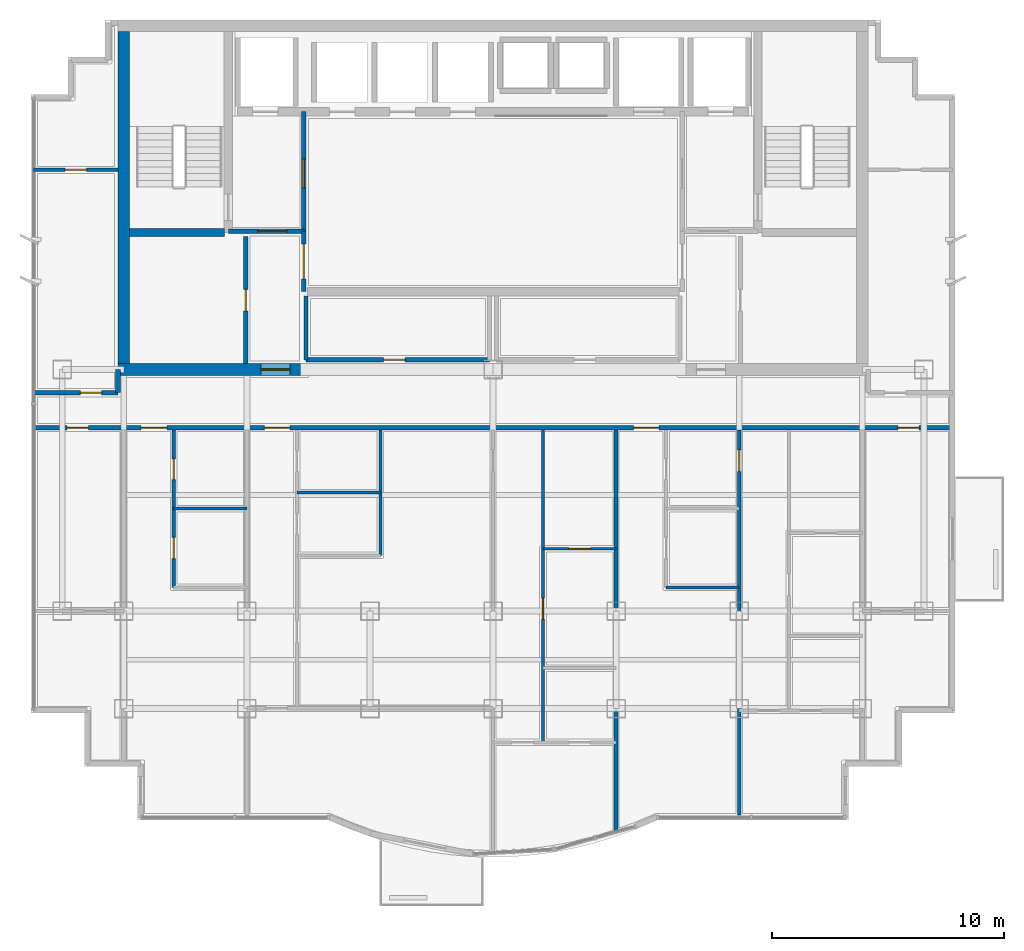
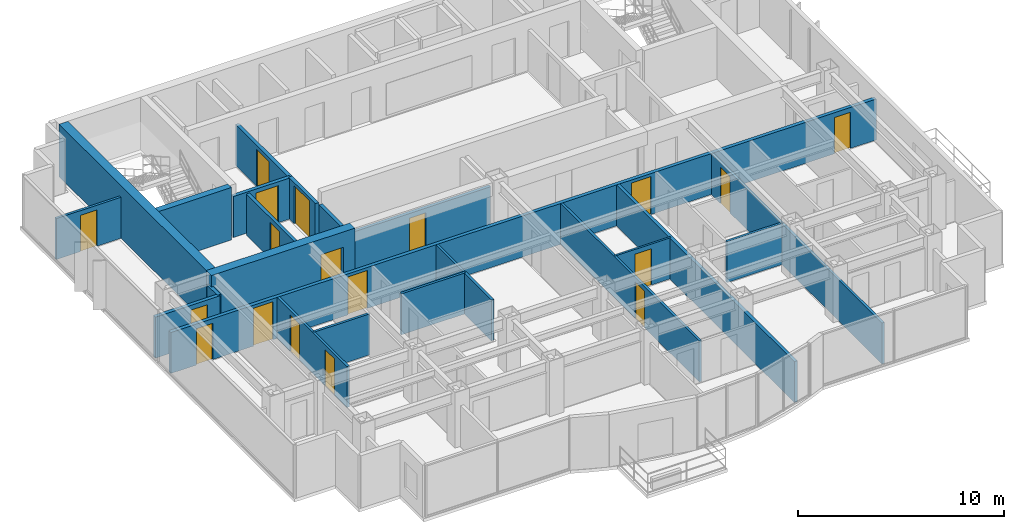
# One storey, part 7 of 11: 22 walls, 18 doors, 18 openings.
"""IFC4 building model written with IfcOpenShell, lengths in metres."""

from ifc_helpers import new_model, si_unit, direction, frame, frame_2d, origin, place, context, subcontext, project, spatial, rectangle, extrude, material, layer, layer_set, type_object, element, fill, save


model = new_model("IFC4")

# Units and contexts
model_context = context("Model", 3, precision=1e-05, world=origin(), true_north=direction((0.0, 1.0)))
body_context = subcontext(model_context, "Body", "Model", "MODEL_VIEW")
ifc_project = project(units=[si_unit("LENGTHUNIT", "METRE"), si_unit("AREAUNIT", "SQUARE_METRE"), si_unit("VOLUMEUNIT", "CUBIC_METRE"), si_unit("PLANEANGLEUNIT", "RADIAN"), si_unit("MASSUNIT", "GRAM", prefix="KILO")], contexts=[model_context])

# Site, building, storey
site_placement = place(None, origin())
site = spatial("IfcSite", under=ifc_project, at=site_placement, CompositionType="ELEMENT")
building_placement = place(site_placement, origin())
building = spatial("IfcBuilding", under=site, at=building_placement, Name="Qianlan Lanfeng Residences", CompositionType="ELEMENT")
storey_placement = place(building_placement, frame((0.0, 0.0, 206.60009765625)))
storey = spatial("IfcBuildingStorey", under=building, at=storey_placement, Name="L56", CompositionType="ELEMENT", Elevation=206.60009765625)

# Walls
ifc_material_1 = material(Name="Concrete C49", Category="concrete")
ifc_layer_1 = layer(ifc_material_1, 0.35009765625)
ifc_layer_set_1 = layer_set([ifc_layer_1], Name="Concrete C49")
wall_type_1 = type_object("IfcWallType", Name="CW-RC-350", PredefinedType="SHEAR", material=ifc_layer_set_1)
wall_1_placement = place(storey_placement, frame((10.85009765625, 31.10009765625, 0.0), z_axis=(0.0, 0.0, 1.0), x_axis=(1.0, 0.0, 0.0)))
element("IfcWall", 1, at=wall_1_placement, inside=storey, type_object=wall_type_1, Name="L56 Core Shear Wall ST1S", PredefinedType="SHEAR", context=body_context, shape_type="SweptSolid", body=[
    extrude(rectangle(XDim=4.074951171875, YDim=0.35009765625, at=frame_2d((2.03759765625, 0.0))), origin(), (0.0, 0.0, 1.0), 3.10986328125),
])
ifc_material_2 = material(Name="Concrete C70", Category="concrete")
ifc_layer_2 = layer(ifc_material_2, 0.5)
ifc_layer_set_2 = layer_set([ifc_layer_2], Name="Concrete C70")
wall_type_2 = type_object("IfcWallType", Name="CW-RC-500", PredefinedType="SHEAR", material=ifc_layer_set_2)
wall_2_placement = place(storey_placement, frame((10.60009765625, 25.449951171875, 0.0), z_axis=(0.0, 0.0, 1.0), x_axis=(0.0, 1.0, 0.0)))
element("IfcWall", 2, at=wall_2_placement, inside=storey, type_object=wall_type_2, Name="L56 Core Shear Wall W", PredefinedType="SHEAR", context=body_context, shape_type="SweptSolid", body=[
    extrude(rectangle(XDim=14.300048828125, YDim=0.5, at=frame_2d((7.14990234375, 0.0))), origin(), (0.0, 0.0, 1.0), 3.10986328125),
])

# Wall, opening, door
wall_3_placement = place(storey_placement, frame((10.35009765625, 25.199951171875, 0.0), z_axis=(0.0, 0.0, 1.0), x_axis=(1.0, 0.0, 0.0)))
wall_3 = element("IfcWall", 3, at=wall_3_placement, inside=storey, type_object=wall_type_2, Name="L56 Core Shear Wall SW", PredefinedType="SHEAR", context=body_context, shape_type="SweptSolid", body=[
    extrude(rectangle(XDim=8.0498046875, YDim=0.5, at=frame_2d((4.02490234375, 0.0))), origin(), (0.0, 0.0, 1.0), 3.10986328125),
])
opening_1_placement = place(wall_3_placement, frame((6.14990234375, 0.0, 0.0)))
opening_1 = element("IfcOpeningElement", 4, at=opening_1_placement, cuts=wall_3, Name="Opening L56-D01", PredefinedType="OPENING", context=body_context, shape_type="SweptSolid", body=[
    extrude(rectangle(XDim=1.25, YDim=2.199951171875, at=frame_2d((0.625, 1.10009765625))), frame((0.0, 0.260009765625, 0.0), z_axis=(0.0, -1.0, 0.0), x_axis=(1.0, 0.0, 0.0)), (0.0, 0.0, 1.0), 0.52001953125),
])
ifc_material_3 = material(Name="Painted Galvanised Steel Fire Door", Category="steel")
door_type_1 = type_object("IfcDoorType", Name="DT-FFL", OperationType="NOTDEFINED", PredefinedType="DOOR", material=ifc_material_3)
door_1_placement = place(opening_1_placement, origin())
door_1 = element("IfcDoor", 5, at=door_1_placement, inside=storey, type_object=door_type_1, Name="L56 West Core Lobby Smoke Door L56-D01 (DT-FFL)", OperationType="SINGLE_SWING_RIGHT", OverallHeight=2.199951171875, OverallWidth=1.25, PredefinedType="DOOR", context=body_context, shape_type="SweptSolid", body=[
    extrude(rectangle(XDim=1.25, YDim=2.199951171875, at=frame_2d((0.625, 1.10009765625))), frame((0.0, 0.02490234375, 0.0), z_axis=(0.0, -1.0, 0.0), x_axis=(1.0, 0.0, 0.0)), (0.0, 0.0, 1.0), 0.050048828125),
])
fill(opening_1, door_1)

ifc_material_4 = material(Name="Demountable Acoustic Framing Partition 110 mm")
ifc_layer_3 = layer(ifc_material_4, 0.110107421875)
ifc_layer_set_3 = layer_set([ifc_layer_3], Name="Demountable Acoustic Framing Partition 110 mm")
wall_type_3 = type_object("IfcWallType", Name="PW-110", PredefinedType="MOVABLE", material=ifc_layer_set_3)
wall_4_placement = place(storey_placement, frame((28.64990234375, 17.47412109375, 0.0), z_axis=(0.0, 0.0, 1.0), x_axis=(1.0, 0.0, 0.0)))
wall_4 = element("IfcWall", 6, at=wall_4_placement, inside=storey, type_object=wall_type_3, Name="L56 U02 Wardrobe Split", PredefinedType="MOVABLE", context=body_context, shape_type="SweptSolid", body=[
    extrude(rectangle(XDim=3.150146484375, YDim=0.110107421875, at=frame_2d((1.5751953125, 0.0))), origin(), (0.0, 0.0, 1.0), 2.429931640625),
])
opening_2_placement = place(wall_4_placement, frame((1.114990234375, 0.0, 0.0)))
opening_2 = element("IfcOpeningElement", 7, at=opening_2_placement, cuts=wall_4, Name="Opening L56-D27", PredefinedType="OPENING", context=body_context, shape_type="SweptSolid", body=[
    extrude(rectangle(XDim=0.919921875, YDim=2.14990234375, at=frame_2d((0.4599609375, 1.074951171875))), frame((0.0, 0.06494140625, 0.0), z_axis=(0.0, -1.0, 0.0), x_axis=(1.0, 0.0, 0.0)), (0.0, 0.0, 1.0), 0.130126953125),
])
ifc_material_5 = material(Name="Glazed Timber Kitchen/Study Door", Category="wood")
door_type_2 = type_object("IfcDoorType", Name="DT-INT", OperationType="NOTDEFINED", PredefinedType="DOOR", material=ifc_material_5)
door_2_placement = place(opening_2_placement, origin())
door_2 = element("IfcDoor", 8, at=door_2_placement, inside=storey, type_object=door_type_2, Name="L56 U02 Dressing Inner Door L56-D27 (DT-INT)", OperationType="SINGLE_SWING_RIGHT", OverallHeight=2.14990234375, OverallWidth=0.919921875, PredefinedType="DOOR", context=body_context, shape_type="SweptSolid", body=[
    extrude(rectangle(XDim=0.919921875, YDim=2.14990234375, at=frame_2d((0.4599609375, 1.074951171875))), frame((0.0, 0.02490234375, 0.0), z_axis=(0.0, -1.0, 0.0), x_axis=(1.0, 0.0, 0.0)), (0.0, 0.0, 1.0), 0.050048828125),
])
fill(opening_2, door_2)

# Wall, openings, doors
ifc_material_6 = material(Name="Moisture-Resistant Gypsum Partition 135 mm")
ifc_layer_4 = layer(ifc_material_6, 0.135009765625)
ifc_layer_set_4 = layer_set([ifc_layer_4], Name="Moisture-Resistant Gypsum Partition 135 mm")
wall_type_4 = type_object("IfcWallType", Name="PW-135", PredefinedType="PARTITIONING", material=ifc_layer_set_4)
wall_5_placement = place(storey_placement, frame((12.75, 15.820068359375, 0.0), z_axis=(0.0, 0.0, 1.0), x_axis=(0.0, 1.0, 0.0)))
wall_5 = element("IfcWall", 9, at=wall_5_placement, inside=storey, type_object=wall_type_4, Name="L56 U01 Wet Stack Spine", PredefinedType="PARTITIONING", context=body_context, shape_type="SweptSolid", body=[
    extrude(rectangle(XDim=6.780029296875, YDim=0.135009765625, at=frame_2d((3.39013671875, 0.0))), origin(), (0.0, 0.0, 1.0), 2.429931640625),
])
opening_3_placement = place(wall_5_placement, frame((1.235107421875, 0.0, 0.0)))
opening_3 = element("IfcOpeningElement", 10, at=opening_3_placement, cuts=wall_5, Name="Opening L56-D16", PredefinedType="OPENING", context=body_context, shape_type="SweptSolid", body=[
    extrude(rectangle(XDim=0.919921875, YDim=2.14990234375, at=frame_2d((0.4599609375, 1.074951171875))), frame((0.0, 0.07763671875, 0.0), z_axis=(0.0, -1.0, 0.0), x_axis=(1.0, 0.0, 0.0)), (0.0, 0.0, 1.0), 0.155029296875),
])
opening_4_placement = place(wall_5_placement, frame((4.635009765625, 0.0, 0.0)))
opening_4 = element("IfcOpeningElement", 11, at=opening_4_placement, cuts=wall_5, Name="Opening L56-D17", PredefinedType="OPENING", context=body_context, shape_type="SweptSolid", body=[
    extrude(rectangle(XDim=0.89990234375, YDim=2.14990234375, at=frame_2d((0.449951171875, 1.074951171875))), frame((0.0, 0.07763671875, 0.0), z_axis=(0.0, -1.0, 0.0), x_axis=(1.0, 0.0, 0.0)), (0.0, 0.0, 1.0), 0.155029296875),
])
door_3_placement = place(opening_3_placement, origin())
door_3 = element("IfcDoor", 12, at=door_3_placement, inside=storey, type_object=door_type_2, Name="L56 U01 Kitchen Door L56-D16 (DT-INT)", OperationType="SINGLE_SWING_LEFT", OverallHeight=2.14990234375, OverallWidth=0.919921875, PredefinedType="DOOR", context=body_context, shape_type="SweptSolid", body=[
    extrude(rectangle(XDim=0.919921875, YDim=2.14990234375, at=frame_2d((0.4599609375, 1.074951171875))), frame((0.0, 0.02490234375, 0.0), z_axis=(0.0, -1.0, 0.0), x_axis=(1.0, 0.0, 0.0)), (0.0, 0.0, 1.0), 0.050048828125),
])
fill(opening_3, door_3)
ifc_material_7 = material(Name="Moisture-Resistant Timber Leaf", Category="wood")
door_type_3 = type_object("IfcDoorType", Name="DT-WC", OperationType="NOTDEFINED", PredefinedType="DOOR", material=ifc_material_7)
door_4_placement = place(opening_4_placement, origin())
door_4 = element("IfcDoor", 13, at=door_4_placement, inside=storey, type_object=door_type_3, Name="L56 U01 Bathroom Door L56-D17 (DT-WC)", OperationType="SINGLE_SWING_RIGHT", OverallHeight=2.14990234375, OverallWidth=0.89990234375, PredefinedType="DOOR", context=body_context, shape_type="SweptSolid", body=[
    extrude(rectangle(XDim=0.89990234375, YDim=2.14990234375, at=frame_2d((0.449951171875, 1.074951171875))), frame((0.0, 0.02490234375, 0.0), z_axis=(0.0, -1.0, 0.0), x_axis=(1.0, 0.0, 0.0)), (0.0, 0.0, 1.0), 0.050048828125),
])
fill(opening_4, door_4)

# Walls
wall_6_placement = place(storey_placement, frame((12.75, 19.2099609375, 0.0), z_axis=(0.0, 0.0, 1.0), x_axis=(1.0, 0.0, 0.0)))
element("IfcWall", 14, at=wall_6_placement, inside=storey, type_object=wall_type_4, Name="L56 U01 Bathroom South Wall", PredefinedType="PARTITIONING", context=body_context, shape_type="SweptSolid", body=[
    extrude(rectangle(XDim=3.14990234375, YDim=0.135009765625, at=frame_2d((1.574951171875, 0.0))), origin(), (0.0, 0.0, 1.0), 2.429931640625),
])
wall_7_placement = place(storey_placement, frame((21.64990234375, 17.199951171875, 0.0), z_axis=(0.0, 0.0, 1.0), x_axis=(0.0, 1.0, 0.0)))
element("IfcWall", 15, at=wall_7_placement, inside=storey, type_object=wall_type_4, Name="L56 U02 Dining East Wall", PredefinedType="PARTITIONING", context=body_context, shape_type="SweptSolid", body=[
    extrude(rectangle(XDim=5.400146484375, YDim=0.135009765625, at=frame_2d((2.7001953125, 0.0))), origin(), (0.0, 0.0, 1.0), 2.429931640625),
])
wall_8_placement = place(storey_placement, frame((18.050048828125, 19.89990234375, 0.0), z_axis=(0.0, 0.0, 1.0), x_axis=(1.0, 0.0, 0.0)))
element("IfcWall", 16, at=wall_8_placement, inside=storey, type_object=wall_type_4, Name="L56 U02 Bathroom South Wall", PredefinedType="PARTITIONING", context=body_context, shape_type="SweptSolid", body=[
    extrude(rectangle(XDim=3.599853515625, YDim=0.135009765625, at=frame_2d((1.7998046875, 0.0))), origin(), (0.0, 0.0, 1.0), 2.429931640625),
])

# Wall, opening, door
wall_9_placement = place(storey_placement, frame((28.64990234375, 9.14794921875, 0.0), z_axis=(0.0, 0.0, 1.0), x_axis=(0.0, 1.0, 0.0)))
wall_9 = element("IfcWall", 17, at=wall_9_placement, inside=storey, type_object=wall_type_4, Name="L56 U02 Master Passage Wall", PredefinedType="PARTITIONING", context=body_context, shape_type="SweptSolid", body=[
    extrude(rectangle(XDim=13.4521484375, YDim=0.135009765625, at=frame_2d((6.72607421875, 0.0))), origin(), (0.0, 0.0, 1.0), 2.429931640625),
])
opening_5_placement = place(wall_9_placement, frame((5.302978515625, 0.0, 0.0)))
opening_5 = element("IfcOpeningElement", 18, at=opening_5_placement, cuts=wall_9, Name="Opening L56-D26", PredefinedType="OPENING", context=body_context, shape_type="SweptSolid", body=[
    extrude(rectangle(XDim=0.919921875, YDim=2.14990234375, at=frame_2d((0.4599609375, 1.074951171875))), frame((0.0, 0.07763671875, 0.0), z_axis=(0.0, -1.0, 0.0), x_axis=(1.0, 0.0, 0.0)), (0.0, 0.0, 1.0), 0.155029296875),
])
door_5_placement = place(opening_5_placement, origin())
door_5 = element("IfcDoor", 19, at=door_5_placement, inside=storey, type_object=door_type_2, Name="L56 U02 Wardrobe Door L56-D26 (DT-INT)", OperationType="SINGLE_SWING_LEFT", OverallHeight=2.14990234375, OverallWidth=0.919921875, PredefinedType="DOOR", context=body_context, shape_type="SweptSolid", body=[
    extrude(rectangle(XDim=0.919921875, YDim=2.14990234375, at=frame_2d((0.4599609375, 1.074951171875))), frame((0.0, 0.02490234375, 0.0), z_axis=(0.0, -1.0, 0.0), x_axis=(1.0, 0.0, 0.0)), (0.0, 0.0, 1.0), 0.050048828125),
])
fill(opening_5, door_5)

wall_10_placement = place(storey_placement, frame((37.10009765625, 6.02001953125, 0.0), z_axis=(0.0, 0.0, 1.0), x_axis=(0.0, 1.0, 0.0)))
wall_10 = element("IfcWall", 20, at=wall_10_placement, inside=storey, type_object=wall_type_4, Name="L56 U03 Bay Spine Wall 1", PredefinedType="PARTITIONING", context=body_context, shape_type="SweptSolid", body=[
    extrude(rectangle(XDim=16.580078125, YDim=0.135009765625, at=frame_2d((8.2900390625, 0.0))), origin(), (0.0, 0.0, 1.0), 2.429931640625),
])
opening_6_placement = place(wall_10_placement, frame((14.794921875, 0.0, 0.0)))
opening_6 = element("IfcOpeningElement", 21, at=opening_6_placement, cuts=wall_10, Name="Opening L56-D29", PredefinedType="OPENING", context=body_context, shape_type="SweptSolid", body=[
    extrude(rectangle(XDim=0.919921875, YDim=2.14990234375, at=frame_2d((0.4599609375, 1.074951171875))), frame((0.0, 0.07763671875, 0.0), z_axis=(0.0, -1.0, 0.0), x_axis=(1.0, 0.0, 0.0)), (0.0, 0.0, 1.0), 0.155029296875),
])
door_6_placement = place(opening_6_placement, origin())
door_6 = element("IfcDoor", 22, at=door_6_placement, inside=storey, type_object=door_type_2, Name="L56 U03 Internal Hall Door L56-D29 (DT-INT)", OperationType="SINGLE_SWING_RIGHT", OverallHeight=2.14990234375, OverallWidth=0.919921875, PredefinedType="DOOR", context=body_context, shape_type="SweptSolid", body=[
    extrude(rectangle(XDim=0.919921875, YDim=2.14990234375, at=frame_2d((0.4599609375, 1.074951171875))), frame((0.0, 0.02490234375, 0.0), z_axis=(0.0, -1.0, 0.0), x_axis=(1.0, 0.0, 0.0)), (0.0, 0.0, 1.0), 0.050048828125),
])
fill(opening_6, door_6)

# Wall
wall_11_placement = place(storey_placement, frame((33.949951171875, 15.820068359375, 0.0), z_axis=(0.0, 0.0, 1.0), x_axis=(1.0, 0.0, 0.0)))
element("IfcWall", 23, at=wall_11_placement, inside=storey, type_object=wall_type_4, Name="L56 U03 Kitchen South Wall", PredefinedType="PARTITIONING", context=body_context, shape_type="SweptSolid", body=[
    extrude(rectangle(XDim=3.150146484375, YDim=0.135009765625, at=frame_2d((1.5751953125, 0.0))), origin(), (0.0, 0.0, 1.0), 2.429931640625),
])

# Wall, opening, door
wall_12_placement = place(storey_placement, frame((6.719970703125, 33.800048828125, 0.0), z_axis=(0.0, 0.0, 1.0), x_axis=(1.0, 0.0, 0.0)))
wall_12 = element("IfcWall", 24, at=wall_12_placement, inside=storey, type_object=wall_type_4, Name="L56 WW North Wing Wall", PredefinedType="PARTITIONING", context=body_context, shape_type="SweptSolid", body=[
    extrude(rectangle(XDim=3.630126953125, YDim=0.135009765625, at=frame_2d((1.81494140625, 0.0))), origin(), (0.0, 0.0, 1.0), 2.429931640625),
])
opening_7_placement = place(wall_12_placement, frame((1.35498046875, 0.0, 0.0)))
opening_7 = element("IfcOpeningElement", 25, at=opening_7_placement, cuts=wall_12, Name="Opening L56-D40", PredefinedType="OPENING", context=body_context, shape_type="SweptSolid", body=[
    extrude(rectangle(XDim=0.919921875, YDim=2.14990234375, at=frame_2d((0.4599609375, 1.074951171875))), frame((0.0, 0.07763671875, 0.0), z_axis=(0.0, -1.0, 0.0), x_axis=(1.0, 0.0, 0.0)), (0.0, 0.0, 1.0), 0.155029296875),
])
door_7_placement = place(opening_7_placement, origin())
door_7 = element("IfcDoor", 26, at=door_7_placement, inside=storey, type_object=door_type_2, Name="L56 WW Inner Salon Door L56-D40 (DT-INT)", OperationType="SINGLE_SWING_LEFT", OverallHeight=2.14990234375, OverallWidth=0.919921875, PredefinedType="DOOR", context=body_context, shape_type="SweptSolid", body=[
    extrude(rectangle(XDim=0.919921875, YDim=2.14990234375, at=frame_2d((0.4599609375, 1.074951171875))), frame((0.0, 0.02490234375, 0.0), z_axis=(0.0, -1.0, 0.0), x_axis=(1.0, 0.0, 0.0)), (0.0, 0.0, 1.0), 0.050048828125),
])
fill(opening_7, door_7)

ifc_material_8 = material(Name="Double-Layer Acoustic Gypsum Stud Wall 180 mm")
ifc_layer_5 = layer(ifc_material_8, 0.179931640625)
ifc_layer_set_5 = layer_set([ifc_layer_5], Name="Double-Layer Acoustic Gypsum Stud Wall 180 mm")
wall_type_5 = type_object("IfcWallType", Name="PW-180", PredefinedType="PARTITIONING", material=ifc_layer_set_5)
wall_13_placement = place(storey_placement, frame((15.85009765625, 25.449951171875, 0.0), z_axis=(0.0, 0.0, 1.0), x_axis=(0.0, 1.0, 0.0)))
wall_13 = element("IfcWall", 27, at=wall_13_placement, inside=storey, type_object=wall_type_5, Name="L56 Core West Service Room Wall", PredefinedType="PARTITIONING", context=body_context, shape_type="SweptSolid", body=[
    extrude(rectangle(XDim=5.47509765625, YDim=0.179931640625, at=frame_2d((2.737548828125, 0.0))), origin(), (0.0, 0.0, 1.0), 2.429931640625),
])
opening_8_placement = place(wall_13_placement, frame((2.277099609375, 0.0, 0.0)))
opening_8 = element("IfcOpeningElement", 28, at=opening_8_placement, cuts=wall_13, Name="Opening L56-D09", PredefinedType="OPENING", context=body_context, shape_type="SweptSolid", body=[
    extrude(rectangle(XDim=0.919921875, YDim=2.14990234375, at=frame_2d((0.4599609375, 1.074951171875))), frame((0.0, 0.10009765625, 0.0), z_axis=(0.0, -1.0, 0.0), x_axis=(1.0, 0.0, 0.0)), (0.0, 0.0, 1.0), 0.199951171875),
])
door_8_placement = place(opening_8_placement, origin())
door_8 = element("IfcDoor", 29, at=door_8_placement, inside=storey, type_object=door_type_2, Name="L56 Core Storage Door L56-D09 (DT-INT)", OperationType="SINGLE_SWING_RIGHT", OverallHeight=2.14990234375, OverallWidth=0.919921875, PredefinedType="DOOR", context=body_context, shape_type="SweptSolid", body=[
    extrude(rectangle(XDim=0.919921875, YDim=2.14990234375, at=frame_2d((0.4599609375, 1.074951171875))), frame((0.0, 0.02490234375, 0.0), z_axis=(0.0, -1.0, 0.0), x_axis=(1.0, 0.0, 0.0)), (0.0, 0.0, 1.0), 0.050048828125),
])
fill(opening_8, door_8)

# Wall
wall_14_placement = place(storey_placement, frame((18.449951171875, 25.6201171875, 0.0), z_axis=(0.0, 0.0, 1.0), x_axis=(0.0, 1.0, 0.0)))
element("IfcWall", 30, at=wall_14_placement, inside=storey, type_object=wall_type_5, Name="L56 Reclaimed Low-Bank Room West Wall", PredefinedType="PARTITIONING", context=body_context, shape_type="SweptSolid", body=[
    extrude(rectangle(XDim=2.7548828125, YDim=0.179931640625, at=frame_2d((1.37744140625, 0.0))), origin(), (0.0, 0.0, 1.0), 2.429931640625),
])

# Wall, opening, door
wall_15_placement = place(storey_placement, frame((18.449951171875, 25.6201171875, 0.0), z_axis=(0.0, 0.0, 1.0), x_axis=(1.0, 0.0, 0.0)))
wall_15 = element("IfcWall", 31, at=wall_15_placement, inside=storey, type_object=wall_type_5, Name="L56 Reclaimed Low-Bank Room South Wall", PredefinedType="PARTITIONING", context=body_context, shape_type="SweptSolid", body=[
    extrude(rectangle(XDim=7.900146484375, YDim=0.179931640625, at=frame_2d((3.9501953125, 0.0))), origin(), (0.0, 0.0, 1.0), 2.429931640625),
])
opening_9_placement = place(wall_15_placement, frame((3.340087890625, 0.0, 0.0)))
opening_9 = element("IfcOpeningElement", 32, at=opening_9_placement, cuts=wall_15, Name="Opening L56-D13", PredefinedType="OPENING", context=body_context, shape_type="SweptSolid", body=[
    extrude(rectangle(XDim=0.919921875, YDim=2.14990234375, at=frame_2d((0.4599609375, 1.074951171875))), frame((0.0, 0.10009765625, 0.0), z_axis=(0.0, -1.0, 0.0), x_axis=(1.0, 0.0, 0.0)), (0.0, 0.0, 1.0), 0.199951171875),
])
door_9_placement = place(opening_9_placement, origin())
door_9 = element("IfcDoor", 33, at=door_9_placement, inside=storey, type_object=door_type_2, Name="L56 Reclaimed Core Salon Door L56-D13 (DT-INT)", OperationType="SINGLE_SWING_RIGHT", OverallHeight=2.14990234375, OverallWidth=0.919921875, PredefinedType="DOOR", context=body_context, shape_type="SweptSolid", body=[
    extrude(rectangle(XDim=0.919921875, YDim=2.14990234375, at=frame_2d((0.4599609375, 1.074951171875))), frame((0.0, 0.02490234375, 0.0), z_axis=(0.0, -1.0, 0.0), x_axis=(1.0, 0.0, 0.0)), (0.0, 0.0, 1.0), 0.050048828125),
])
fill(opening_9, door_9)

# Wall
wall_16_placement = place(storey_placement, frame((31.800048828125, 5.3310546875, 0.0), z_axis=(0.0, 0.0, 1.0), x_axis=(0.0, 1.0, 0.0)))
element("IfcWall", 34, at=wall_16_placement, inside=storey, type_object=wall_type_5, Name="L56 Inter-Tenancy Party Wall 3", PredefinedType="PARTITIONING", context=body_context, shape_type="SweptSolid", body=[
    extrude(rectangle(XDim=17.26904296875, YDim=0.179931640625, at=frame_2d((8.634521484375, 0.0))), origin(), (0.0, 0.0, 1.0), 2.429931640625),
])

# Wall, opening, door
ifc_material_9 = material(Name="Autoclaved Aerated Concrete Blockwork 200 mm", Category="masonry")
ifc_layer_6 = layer(ifc_material_9, 0.199951171875)
ifc_layer_set_6 = layer_set([ifc_layer_6], Name="Autoclaved Aerated Concrete Blockwork 200 mm")
wall_type_6 = type_object("IfcWallType", Name="PW-200", PredefinedType="PARTITIONING", material=ifc_layer_set_6)
wall_17_placement = place(storey_placement, frame((15.10009765625, 31.14990234375, 0.0), z_axis=(0.0, 0.0, 1.0), x_axis=(1.0, 0.0, 0.0)))
wall_17 = element("IfcWall", 35, at=wall_17_placement, inside=storey, type_object=wall_type_6, Name="L56 Firefighting Lobby 1 South Wall", PredefinedType="PARTITIONING", context=body_context, shape_type="SweptSolid", body=[
    extrude(rectangle(XDim=3.25, YDim=0.199951171875, at=frame_2d((1.625, 0.0))), origin(), (0.0, 0.0, 1.0), 2.429931640625),
])
opening_10_placement = place(wall_17_placement, frame((1.27490234375, 0.0, 0.0)))
opening_10 = element("IfcOpeningElement", 36, at=opening_10_placement, cuts=wall_17, Name="Opening L56-D03", PredefinedType="OPENING", context=body_context, shape_type="SweptSolid", body=[
    extrude(rectangle(XDim=1.25, YDim=2.199951171875, at=frame_2d((0.625, 1.10009765625))), frame((0.0, 0.10986328125, 0.0), z_axis=(0.0, -1.0, 0.0), x_axis=(1.0, 0.0, 0.0)), (0.0, 0.0, 1.0), 0.219970703125),
])
door_10_placement = place(opening_10_placement, origin())
door_10 = element("IfcDoor", 37, at=door_10_placement, inside=storey, type_object=door_type_1, Name="L56 Firefighting Lobby 1 Entry Door L56-D03 (DT-FFL)", OperationType="SINGLE_SWING_LEFT", OverallHeight=2.199951171875, OverallWidth=1.25, PredefinedType="DOOR", context=body_context, shape_type="SweptSolid", body=[
    extrude(rectangle(XDim=1.25, YDim=2.199951171875, at=frame_2d((0.625, 1.10009765625))), frame((0.0, 0.02490234375, 0.0), z_axis=(0.0, -1.0, 0.0), x_axis=(1.0, 0.0, 0.0)), (0.0, 0.0, 1.0), 0.050048828125),
])
fill(opening_10, door_10)

wall_18_placement = place(storey_placement, frame((18.35009765625, 31.14990234375, 0.0), z_axis=(0.0, 0.0, 1.0), x_axis=(0.0, 1.0, 0.0)))
wall_18 = element("IfcWall", 38, at=wall_18_placement, inside=storey, type_object=wall_type_6, Name="L56 Firefighting Lobby 1 East Wall", PredefinedType="PARTITIONING", context=body_context, shape_type="SweptSolid", body=[
    extrude(rectangle(XDim=5.150146484375, YDim=0.199951171875, at=frame_2d((2.5751953125, 0.0))), origin(), (0.0, 0.0, 1.0), 2.429931640625),
])
opening_11_placement = place(wall_18_placement, frame((1.875, 0.0, 0.0)))
opening_11 = element("IfcOpeningElement", 39, at=opening_11_placement, cuts=wall_18, Name="Opening L56-D04", PredefinedType="OPENING", context=body_context, shape_type="SweptSolid", body=[
    extrude(rectangle(XDim=1.25, YDim=2.199951171875, at=frame_2d((0.625, 1.10009765625))), frame((0.0, 0.10986328125, 0.0), z_axis=(0.0, -1.0, 0.0), x_axis=(1.0, 0.0, 0.0)), (0.0, 0.0, 1.0), 0.219970703125),
])
door_11_placement = place(opening_11_placement, origin())
door_11 = element("IfcDoor", 40, at=door_11_placement, inside=storey, type_object=door_type_1, Name="L56 Firefighting Lobby 1 Lift Lobby Door L56-D04 (DT-FFL)", OperationType="SINGLE_SWING_LEFT", OverallHeight=2.199951171875, OverallWidth=1.25, PredefinedType="DOOR", context=body_context, shape_type="SweptSolid", body=[
    extrude(rectangle(XDim=1.25, YDim=2.199951171875, at=frame_2d((0.625, 1.10009765625))), frame((0.0, 0.02490234375, 0.0), z_axis=(0.0, -1.0, 0.0), x_axis=(1.0, 0.0, 0.0)), (0.0, 0.0, 1.0), 0.050048828125),
])
fill(opening_11, door_11)

wall_19_placement = place(storey_placement, frame((18.35009765625, 28.550048828125, 0.0), z_axis=(0.0, 0.0, 1.0), x_axis=(0.0, 1.0, 0.0)))
wall_19 = element("IfcWall", 41, at=wall_19_placement, inside=storey, type_object=wall_type_6, Name="L56 Lift Lobby West Connector Wall", PredefinedType="PARTITIONING", context=body_context, shape_type="SweptSolid", body=[
    extrude(rectangle(XDim=2.599853515625, YDim=0.199951171875, at=frame_2d((1.2998046875, 0.0))), origin(), (0.0, 0.0, 1.0), 2.429931640625),
])
opening_12_placement = place(wall_19_placement, frame((0.550048828125, 0.0, 0.0)))
opening_12 = element("IfcOpeningElement", 42, at=opening_12_placement, cuts=wall_19, Name="Opening L56-D11", PredefinedType="OPENING", context=body_context, shape_type="SweptSolid", body=[
    extrude(rectangle(XDim=1.5, YDim=2.25, at=frame_2d((0.75, 1.125))), frame((0.0, 0.10986328125, 0.0), z_axis=(0.0, -1.0, 0.0), x_axis=(1.0, 0.0, 0.0)), (0.0, 0.0, 1.0), 0.219970703125),
])
ifc_material_10 = material(Name="Timber Veneer Acoustic Fire Door", Category="wood")
door_type_4 = type_object("IfcDoorType", Name="DT-COR1", OperationType="NOTDEFINED", PredefinedType="DOOR", material=ifc_material_10)
door_12_placement = place(opening_12_placement, origin())
door_12 = element("IfcDoor", 43, at=door_12_placement, inside=storey, type_object=door_type_4, Name="L56 Lift Lobby West Portal Door L56-D11 (DT-COR1)", OperationType="DOUBLE_DOOR_SINGLE_SWING", OverallHeight=2.25, OverallWidth=1.5, PredefinedType="DOOR", context=body_context, shape_type="SweptSolid", body=[
    extrude(rectangle(XDim=1.5, YDim=2.25, at=frame_2d((0.75, 1.125))), frame((0.0, 0.02490234375, 0.0), z_axis=(0.0, -1.0, 0.0), x_axis=(1.0, 0.0, 0.0)), (0.0, 0.0, 1.0), 0.050048828125),
])
fill(opening_12, door_12)

# Wall, openings, doors
wall_20_placement = place(storey_placement, frame((6.719970703125, 22.699951171875, 0.0), z_axis=(0.0, 0.0, 1.0), x_axis=(1.0, 0.0, 0.0)))
wall_20 = element("IfcWall", 44, at=wall_20_placement, inside=storey, type_object=wall_type_6, Name="L56 Residential Corridor South Fire Wall", PredefinedType="PARTITIONING", context=body_context, shape_type="SweptSolid", body=[
    extrude(rectangle(XDim=39.56005859375, YDim=0.199951171875, at=frame_2d((19.780029296875, 0.0))), origin(), (0.0, 0.0, 1.0), 2.429931640625),
])
opening_13_placement = place(wall_20_placement, frame((4.6298828125, 0.0, 0.0)))
opening_13 = element("IfcOpeningElement", 45, at=opening_13_placement, cuts=wall_20, Name="Opening L56-D15", PredefinedType="OPENING", context=body_context, shape_type="SweptSolid", body=[
    extrude(rectangle(XDim=1.10009765625, YDim=2.25, at=frame_2d((0.550048828125, 1.125))), frame((0.0, 0.10986328125, 0.0), z_axis=(0.0, -1.0, 0.0), x_axis=(1.0, 0.0, 0.0)), (0.0, 0.0, 1.0), 0.219970703125),
])
opening_14_placement = place(wall_20_placement, frame((9.929931640625, 0.0, 0.0)))
opening_14 = element("IfcOpeningElement", 46, at=opening_14_placement, cuts=wall_20, Name="Opening L56-D18", PredefinedType="OPENING", context=body_context, shape_type="SweptSolid", body=[
    extrude(rectangle(XDim=1.10009765625, YDim=2.25, at=frame_2d((0.550048828125, 1.125))), frame((0.0, 0.10986328125, 0.0), z_axis=(0.0, -1.0, 0.0), x_axis=(1.0, 0.0, 0.0)), (0.0, 0.0, 1.0), 0.219970703125),
])
opening_15_placement = place(wall_20_placement, frame((25.830078125, 0.0, 0.0)))
opening_15 = element("IfcOpeningElement", 47, at=opening_15_placement, cuts=wall_20, Name="Opening L56-D28", PredefinedType="OPENING", context=body_context, shape_type="SweptSolid", body=[
    extrude(rectangle(XDim=1.10009765625, YDim=2.25, at=frame_2d((0.550048828125, 1.125))), frame((0.0, 0.10986328125, 0.0), z_axis=(0.0, -1.0, 0.0), x_axis=(1.0, 0.0, 0.0)), (0.0, 0.0, 1.0), 0.219970703125),
])
opening_16_placement = place(wall_20_placement, frame((1.43505859375, 0.0, 0.0)))
opening_16 = element("IfcOpeningElement", 48, at=opening_16_placement, cuts=wall_20, Name="Opening L56-D37", PredefinedType="OPENING", context=body_context, shape_type="SweptSolid", body=[
    extrude(rectangle(XDim=0.919921875, YDim=2.14990234375, at=frame_2d((0.4599609375, 1.074951171875))), frame((0.0, 0.10986328125, 0.0), z_axis=(0.0, -1.0, 0.0), x_axis=(1.0, 0.0, 0.0)), (0.0, 0.0, 1.0), 0.219970703125),
])
opening_17_placement = place(wall_20_placement, frame((37.205078125, 0.0, 0.0)))
opening_17 = element("IfcOpeningElement", 49, at=opening_17_placement, cuts=wall_20, Name="Opening L56-D39", PredefinedType="OPENING", context=body_context, shape_type="SweptSolid", body=[
    extrude(rectangle(XDim=0.919921875, YDim=2.14990234375, at=frame_2d((0.4599609375, 1.074951171875))), frame((0.0, 0.10986328125, 0.0), z_axis=(0.0, -1.0, 0.0), x_axis=(1.0, 0.0, 0.0)), (0.0, 0.0, 1.0), 0.219970703125),
])
door_13_placement = place(opening_16_placement, origin())
door_13 = element("IfcDoor", 50, at=door_13_placement, inside=storey, type_object=door_type_2, Name="L56 SWP Corridor Door L56-D37 (DT-INT)", OperationType="SINGLE_SWING_RIGHT", OverallHeight=2.14990234375, OverallWidth=0.919921875, PredefinedType="DOOR", context=body_context, shape_type="SweptSolid", body=[
    extrude(rectangle(XDim=0.919921875, YDim=2.14990234375, at=frame_2d((0.4599609375, 1.074951171875))), frame((0.0, 0.02490234375, 0.0), z_axis=(0.0, -1.0, 0.0), x_axis=(1.0, 0.0, 0.0)), (0.0, 0.0, 1.0), 0.050048828125),
])
fill(opening_16, door_13)
door_14_placement = place(opening_17_placement, origin())
door_14 = element("IfcDoor", 51, at=door_14_placement, inside=storey, type_object=door_type_2, Name="L56 SEP Corridor Door L56-D39 (DT-INT)", OperationType="SINGLE_SWING_RIGHT", OverallHeight=2.14990234375, OverallWidth=0.919921875, PredefinedType="DOOR", context=body_context, shape_type="SweptSolid", body=[
    extrude(rectangle(XDim=0.919921875, YDim=2.14990234375, at=frame_2d((0.4599609375, 1.074951171875))), frame((0.0, 0.02490234375, 0.0), z_axis=(0.0, -1.0, 0.0), x_axis=(1.0, 0.0, 0.0)), (0.0, 0.0, 1.0), 0.050048828125),
])
fill(opening_17, door_14)
ifc_material_11 = material(Name="Solid-Core Oak Veneer Fire Door")
door_type_5 = type_object("IfcDoorType", Name="DT-UNIT", OperationType="NOTDEFINED", PredefinedType="DOOR", material=ifc_material_11)
door_15_placement = place(opening_13_placement, origin())
door_15 = element("IfcDoor", 52, at=door_15_placement, inside=storey, type_object=door_type_5, Name="L56 Apartment U01 Entrance Door L56-D15 (DT-UNIT)", OperationType="SINGLE_SWING_RIGHT", OverallHeight=2.25, OverallWidth=1.10009765625, PredefinedType="DOOR", context=body_context, shape_type="SweptSolid", body=[
    extrude(rectangle(XDim=1.10009765625, YDim=2.25, at=frame_2d((0.550048828125, 1.125))), frame((0.0, 0.02490234375, 0.0), z_axis=(0.0, -1.0, 0.0), x_axis=(1.0, 0.0, 0.0)), (0.0, 0.0, 1.0), 0.050048828125),
])
fill(opening_13, door_15)
door_16_placement = place(opening_14_placement, frame((1.10009765625, 0.0, 0.0), z_axis=(0.0, 0.0, 1.0), x_axis=(-1.0, 0.0, 0.0)))
door_16 = element("IfcDoor", 53, at=door_16_placement, inside=storey, type_object=door_type_5, Name="L56 Apartment U02 Entrance Door L56-D18 (DT-UNIT)", OperationType="SINGLE_SWING_RIGHT", OverallHeight=2.25, OverallWidth=1.10009765625, PredefinedType="DOOR", context=body_context, shape_type="SweptSolid", body=[
    extrude(rectangle(XDim=1.10009765625, YDim=2.25, at=frame_2d((0.550048828125, 1.125))), frame((0.0, 0.02490234375, 0.0), z_axis=(0.0, -1.0, 0.0), x_axis=(1.0, 0.0, 0.0)), (0.0, 0.0, 1.0), 0.050048828125),
])
fill(opening_14, door_16)
door_17_placement = place(opening_15_placement, origin())
door_17 = element("IfcDoor", 54, at=door_17_placement, inside=storey, type_object=door_type_5, Name="L56 Apartment U03 Entrance Door L56-D28 (DT-UNIT)", OperationType="SINGLE_SWING_RIGHT", OverallHeight=2.25, OverallWidth=1.10009765625, PredefinedType="DOOR", context=body_context, shape_type="SweptSolid", body=[
    extrude(rectangle(XDim=1.10009765625, YDim=2.25, at=frame_2d((0.550048828125, 1.125))), frame((0.0, 0.02490234375, 0.0), z_axis=(0.0, -1.0, 0.0), x_axis=(1.0, 0.0, 0.0)), (0.0, 0.0, 1.0), 0.050048828125),
])
fill(opening_15, door_17)

# Wall, opening, door
wall_21_placement = place(storey_placement, frame((6.719970703125, 24.199951171875, 0.0), z_axis=(0.0, 0.0, 1.0), x_axis=(1.0, 0.0, 0.0)))
wall_21 = element("IfcWall", 55, at=wall_21_placement, inside=storey, type_object=wall_type_6, Name="L56 Corridor NW Wall", PredefinedType="PARTITIONING", context=body_context, shape_type="SweptSolid", body=[
    extrude(rectangle(XDim=3.630126953125, YDim=0.199951171875, at=frame_2d((1.81494140625, 0.0))), origin(), (0.0, 0.0, 1.0), 2.429931640625),
])
opening_18_placement = place(wall_21_placement, frame((2.0048828125, 0.0, 0.0)))
opening_18 = element("IfcOpeningElement", 56, at=opening_18_placement, cuts=wall_21, Name="Opening L56-D41", PredefinedType="OPENING", context=body_context, shape_type="SweptSolid", body=[
    extrude(rectangle(XDim=0.919921875, YDim=2.14990234375, at=frame_2d((0.4599609375, 1.074951171875))), frame((0.0, 0.10986328125, 0.0), z_axis=(0.0, -1.0, 0.0), x_axis=(1.0, 0.0, 0.0)), (0.0, 0.0, 1.0), 0.219970703125),
])
door_18_placement = place(opening_18_placement, frame((0.919921875, 0.0, 0.0), z_axis=(0.0, 0.0, 1.0), x_axis=(-1.0, 0.0, 0.0)))
door_18 = element("IfcDoor", 57, at=door_18_placement, inside=storey, type_object=door_type_2, Name="L56 WW Amenity Salon Door L56-D41 (DT-INT)", OperationType="SINGLE_SWING_LEFT", OverallHeight=2.14990234375, OverallWidth=0.919921875, PredefinedType="DOOR", context=body_context, shape_type="SweptSolid", body=[
    extrude(rectangle(XDim=0.919921875, YDim=2.14990234375, at=frame_2d((0.4599609375, 1.074951171875))), frame((0.0, 0.02490234375, 0.0), z_axis=(0.0, -1.0, 0.0), x_axis=(1.0, 0.0, 0.0)), (0.0, 0.0, 1.0), 0.050048828125),
])
fill(opening_18, door_18)

# Wall
wall_22_placement = place(storey_placement, frame((10.35009765625, 24.199951171875, 0.0), z_axis=(0.0, 0.0, 1.0), x_axis=(0.0, 1.0, 0.0)))
element("IfcWall", 58, at=wall_22_placement, inside=storey, type_object=wall_type_6, Name="L56 NW Wing Core Return Wall", PredefinedType="PARTITIONING", context=body_context, shape_type="SweptSolid", body=[
    extrude(rectangle(XDim=1.0, YDim=0.199951171875, at=frame_2d((0.5, 0.0))), origin(), (0.0, 0.0, 1.0), 2.429931640625),
])

save(model, "model.ifc")
